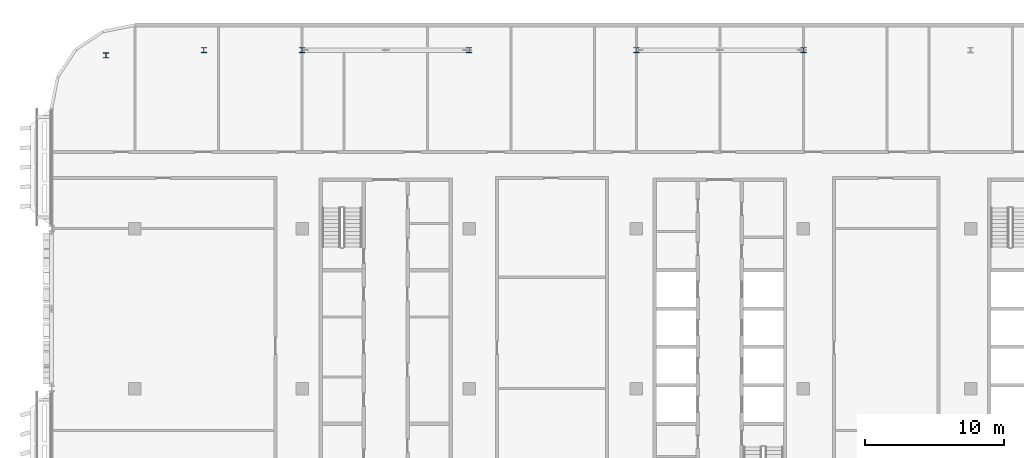
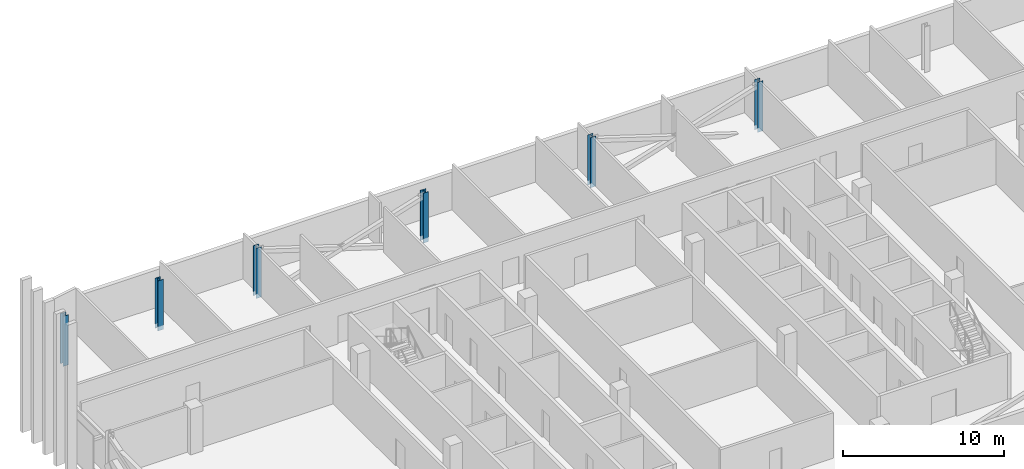
# One storey, part 3 of 30: 6 columns.
"""IFC4 building model written with IfcOpenShell, lengths in metres."""

import ifcopenshell
import ifcopenshell.guid

model = None  # the IFC model being written
_history = None  # IfcOwnerHistory: only IFC2X3 demands one
_inside = {}  # id of a spatial element -> (the spatial element, [elements in it])
_under = {}  # id of a project, library or spatial element -> (it, [spatial elements below it])
_declared = {}  # id of a project -> (the project, [libraries it declares])
_typed = {}  # id of a type object -> (the type object, [elements of that type])
_made_of = {}  # id of a material, layer set ... -> (it, [elements and type objects made of it])


def new_model(schema):
    """Start an empty IFC model of exactly this schema.

    Asked for "IFC4X3", IfcOpenShell would pick the latest addendum, in which some entities
    have other attributes; the version numbers below select the first issue.
    IFC2X3 requires an IfcOwnerHistory on every rooted entity: one is made here for all.
    """
    global model, _history
    if schema == "IFC4X3":
        model = ifcopenshell.file(schema_version=(4, 3, 0, 0))
    else:
        model = ifcopenshell.file(schema=schema)
    _inside.clear()
    _under.clear()
    _declared.clear()
    _typed.clear()
    _made_of.clear()
    _history = None
    if model.schema == "IFC2X3":
        org = make("IfcOrganization", Name="unknown")
        user = make(
            "IfcPersonAndOrganization",
            ThePerson=make("IfcPerson", FamilyName="unknown"),
            TheOrganization=org,
        )
        app = make(
            "IfcApplication",
            ApplicationDeveloper=org,
            Version="unknown",
            ApplicationFullName="unknown",
            ApplicationIdentifier="unknown",
        )
        _history = make(
            "IfcOwnerHistory",
            OwningUser=user,
            OwningApplication=app,
            ChangeAction="ADDED",
            CreationDate=0,
        )
    return model


def make(cls, **values):
    """One entity of the class cls with the attributes given. An attribute that is None is left unset."""
    return model.create_entity(
        cls, **{name: value for name, value in values.items() if value is not None}
    )


def rooted(cls, **values):
    """An entity with a GlobalId (a new one), such as an element, a storey or a relation."""
    return make(cls, GlobalId=ifcopenshell.guid.new(), OwnerHistory=_history, **values)


def si_unit(unit_type, name, prefix=None):
    """IfcSIUnit, for example si_unit("LENGTHUNIT", "METRE", prefix="MILLI")."""
    return make("IfcSIUnit", UnitType=unit_type, Prefix=prefix, Name=name)


def assignment(units):
    """IfcUnitAssignment: the units of a project."""
    return None if units is None else make("IfcUnitAssignment", Units=units)


def point(xyz):
    """IfcCartesianPoint."""
    return None if xyz is None else make("IfcCartesianPoint", Coordinates=xyz)


def direction(xyz):
    """IfcDirection."""
    return None if xyz is None else make("IfcDirection", DirectionRatios=xyz)


def frame(location, z_axis=None, x_axis=None):
    """IfcAxis2Placement3D, a coordinate frame: its origin and axes. An axis left out is left unset."""
    return make(
        "IfcAxis2Placement3D",
        Location=point(location),
        Axis=direction(z_axis),
        RefDirection=direction(x_axis),
    )


def frame_2d(location, x_axis=None):
    """IfcAxis2Placement2D, a coordinate frame in the plane: its origin and x axis."""
    return make(
        "IfcAxis2Placement2D", Location=point(location), RefDirection=direction(x_axis)
    )


def origin():
    """The frame at (0, 0, 0) with its axes left unset."""
    return frame((0.0, 0.0, 0.0))


def origin_2d():
    """The frame at (0, 0) in the plane with its x axis left unset."""
    return frame_2d((0.0, 0.0))


def place(relative_to, where):
    """IfcLocalPlacement: puts the frame where relative to a parent placement (None: the world)."""
    return make(
        "IfcLocalPlacement", PlacementRelTo=relative_to, RelativePlacement=where
    )


def context(
    kind, dimensions, precision=None, world=None, true_north=None, identifier=None
):
    """IfcGeometricRepresentationContext, for example the 3D "Model" context."""
    return make(
        "IfcGeometricRepresentationContext",
        ContextIdentifier=identifier,
        ContextType=kind,
        CoordinateSpaceDimension=dimensions,
        Precision=precision,
        WorldCoordinateSystem=world,
        TrueNorth=true_north,
    )


def subcontext(parent, identifier, kind, view, scale=None):
    """IfcGeometricRepresentationSubContext, for example "Body" below "Model"."""
    return make(
        "IfcGeometricRepresentationSubContext",
        ContextIdentifier=identifier,
        ContextType=kind,
        ParentContext=parent,
        TargetScale=scale,
        TargetView=view,
    )


def project(units=None, contexts=None):
    """IfcProject with its units and contexts."""
    return rooted(
        "IfcProject",
        Name="project",
        RepresentationContexts=contexts,
        UnitsInContext=assignment(units),
    )


def spatial(cls, under=None, at=None, **own):
    """A site, building, storey or space (cls), placed at a placement, below another one or the project."""
    s = rooted(cls, ObjectPlacement=at, **own)
    if under is not None:
        _under.setdefault(under.id(), (under, []))[1].append(s)
    return s


def profile(cls, at=None, kind="AREA", **sizes):
    """A parametric profile (cls). Its sizes go by their IFC names, for example OverallWidth=200.0."""
    return make(cls, ProfileType=kind, Position=at, **sizes)


def i_section(**sizes):
    """IfcIShapeProfileDef."""
    return profile("IfcIShapeProfileDef", **sizes)


def extrude(swept, where, along, depth):
    """IfcExtrudedAreaSolid: the profile swept, set in the frame where, extruded along a direction by depth."""
    return make(
        "IfcExtrudedAreaSolid",
        SweptArea=swept,
        Position=where,
        ExtrudedDirection=direction(along),
        Depth=depth,
    )


def shape(context_of_items, identifier, shape_type, items):
    """IfcShapeRepresentation: the items that make up one representation, for example the "Body"."""
    return make(
        "IfcShapeRepresentation",
        ContextOfItems=context_of_items,
        RepresentationIdentifier=identifier,
        RepresentationType=shape_type,
        Items=items,
    )


def material(Name=None, Category=None):
    """IfcMaterial."""
    return make("IfcMaterial", Name=Name, Category=Category)


def material_profile(
    of_material, cross_section, Name=None, Category=None, Priority=None
):
    """IfcMaterialProfile: a cross section and its material."""
    return make(
        "IfcMaterialProfile",
        Name=Name,
        Material=of_material,
        Profile=cross_section,
        Priority=Priority,
        Category=Category,
    )


def profile_set(profiles, Name=None, composite=None):
    """IfcMaterialProfileSet."""
    return make(
        "IfcMaterialProfileSet",
        Name=Name,
        MaterialProfiles=profiles,
        CompositeProfile=composite,
    )


def made_of(thing, what):
    """Note that an element or type object is made of a material, layer set ...; save() writes the relation."""
    if what is not None:
        _made_of.setdefault(what.id(), (what, []))[1].append(thing)
    return thing


def type_object(cls, material=None, **own):
    """A type object (cls), such as IfcWallType, which elements share."""
    return made_of(rooted(cls, **own), material)


def element(
    cls,
    number,
    at=None,
    inside=None,
    cuts=None,
    type_object=None,
    material=None,
    context=None,
    identifier="Body",
    shape_type=None,
    held_by="IfcProductDefinitionShape",
    body=None,
    shapes=None,
    **own,
):
    """One element of the class cls, such as IfcWall. Its Tag is "e" and its number.

    at: its placement. inside: the storey or other place that contains it. cuts: it is an
    opening in that element (IfcRelVoidsElement). A single representation is given by context,
    identifier, shape_type and body (its items); several are given by shapes. held_by: the class
    of the entity that holds the representations. save() writes the other relations.
    """
    e = rooted(cls, Tag="e%d" % number, ObjectPlacement=at, **own)
    if body is not None:
        shapes = [shape(context, identifier, shape_type, body)]
    if shapes is not None:
        e.Representation = make(held_by, Representations=shapes)
    if inside is not None:
        _inside.setdefault(inside.id(), (inside, []))[1].append(e)
    if cuts is not None:
        rooted(
            "IfcRelVoidsElement", RelatingBuildingElement=cuts, RelatedOpeningElement=e
        )
    if type_object is not None:
        _typed.setdefault(type_object.id(), (type_object, []))[1].append(e)
    return made_of(e, material)


def aggregate(whole, parts):
    """IfcRelAggregates: a whole, such as a stair, and the parts it consists of."""
    return rooted("IfcRelAggregates", RelatingObject=whole, RelatedObjects=parts)


def save(model, path):
    """Write the relations noted so far, then the file.

    IfcRelAggregates (storeys below a building ...), IfcRelContainedInSpatialStructure (elements
    in a storey), IfcRelDefinesByType, IfcRelAssociatesMaterial and IfcRelDeclares: one each for
    every whole, place, type object, material and project.
    """
    for whole, parts in _under.values():
        aggregate(whole, parts)
    for where, things in _inside.values():
        rooted(
            "IfcRelContainedInSpatialStructure",
            RelatedElements=things,
            RelatingStructure=where,
        )
    for kind, things in _typed.values():
        rooted("IfcRelDefinesByType", RelatedObjects=things, RelatingType=kind)
    for what, things in _made_of.values():
        rooted("IfcRelAssociatesMaterial", RelatedObjects=things, RelatingMaterial=what)
    for by, libraries in _declared.values():
        rooted("IfcRelDeclares", RelatingContext=by, RelatedDefinitions=libraries)
    model.write(path)


model = new_model("IFC4")

# Units and contexts
model_context = context("Model", 3, precision=1e-05, world=origin(), true_north=direction((0.0, 1.0)))
body_context = subcontext(model_context, "Body", "Model", "MODEL_VIEW")
ifc_project = project(units=[si_unit("LENGTHUNIT", "METRE"), si_unit("AREAUNIT", "SQUARE_METRE"), si_unit("VOLUMEUNIT", "CUBIC_METRE"), si_unit("PLANEANGLEUNIT", "RADIAN"), si_unit("MASSUNIT", "GRAM", prefix="KILO")], contexts=[model_context])

# Site, building, storey
site_placement = place(None, origin())
site = spatial("IfcSite", under=ifc_project, at=site_placement, CompositionType="ELEMENT")
building_placement = place(site_placement, origin())
building = spatial("IfcBuilding", under=site, at=building_placement, Name="Mahtab Terrace Research Tower", CompositionType="ELEMENT")
storey_placement = place(building_placement, frame((0.0, 0.0, 263.300048828125)))
storey = spatial("IfcBuildingStorey", under=building, at=storey_placement, Name="L64", CompositionType="ELEMENT", Elevation=263.300048828125)

# Columns
ifc_material = material(Name="Steel ASTM A992 Gr 50", Category="steel")
ifc_material_profile = material_profile(ifc_material, i_section(OverallWidth=0.393798828125, OverallDepth=0.3759765625, WebThickness=0.017333984375, FlangeThickness=0.027587890625, at=origin_2d()), Name="W14X145")
ifc_profile_set = profile_set([ifc_material_profile], Name="Steel ASTM A992 Gr 50")
column_type = type_object("IfcColumnType", Name="W14x145 column CS14145", PredefinedType="COLUMN", material=ifc_profile_set)
for number, where, z_axis, x_axis, name in (
    (1, (6.0, 24.306884765625, -0.340087890625), (0.0, 0.0, 1.0), (1.0, 0.0, 0.0), "Column SC-074 L64"),
    (2, (-6.0, 24.306884765625, -0.340087890625), (0.0, 0.0, 1.0), (1.0, 0.0, 0.0), "Column SC-075 L64"),
    (3, (-18.0, 24.306884765625, -0.340087890625), (0.0, 0.0, 1.0), (1.0, 0.0, 0.0), "Column SC-076 L64"),
    (4, (-30.0, 24.306884765625, -0.340087890625), (0.0, 0.0, 1.0), (1.0, 0.0, 0.0), "Column SC-077 L64"),
    (5, (-37.05810546875, 24.306884765625, -0.340087890625), (0.0, 0.0, 1.0), (1.0, 0.0, 0.0), "Column SC-078 L64"),
    (6, (-44.072021484375, 23.93701171875, -0.340087890625), (0.0, 0.0, 1.0), (1.0, 0.0, 0.0), "Column SC-079 L64"),
):
    element("IfcColumn", number, at=place(storey_placement, frame(where, z_axis=z_axis, x_axis=x_axis)), inside=storey, type_object=column_type, Name=name, PredefinedType="COLUMN", context=body_context, shape_type="SweptSolid", body=[
        extrude(i_section(OverallWidth=0.393798828125, OverallDepth=0.3759765625, WebThickness=0.017333984375, FlangeThickness=0.027587890625, at=origin_2d()), origin(), (0.0, 0.0, 1.0), 3.800048828125),
    ])

save(model, "model.ifc")
